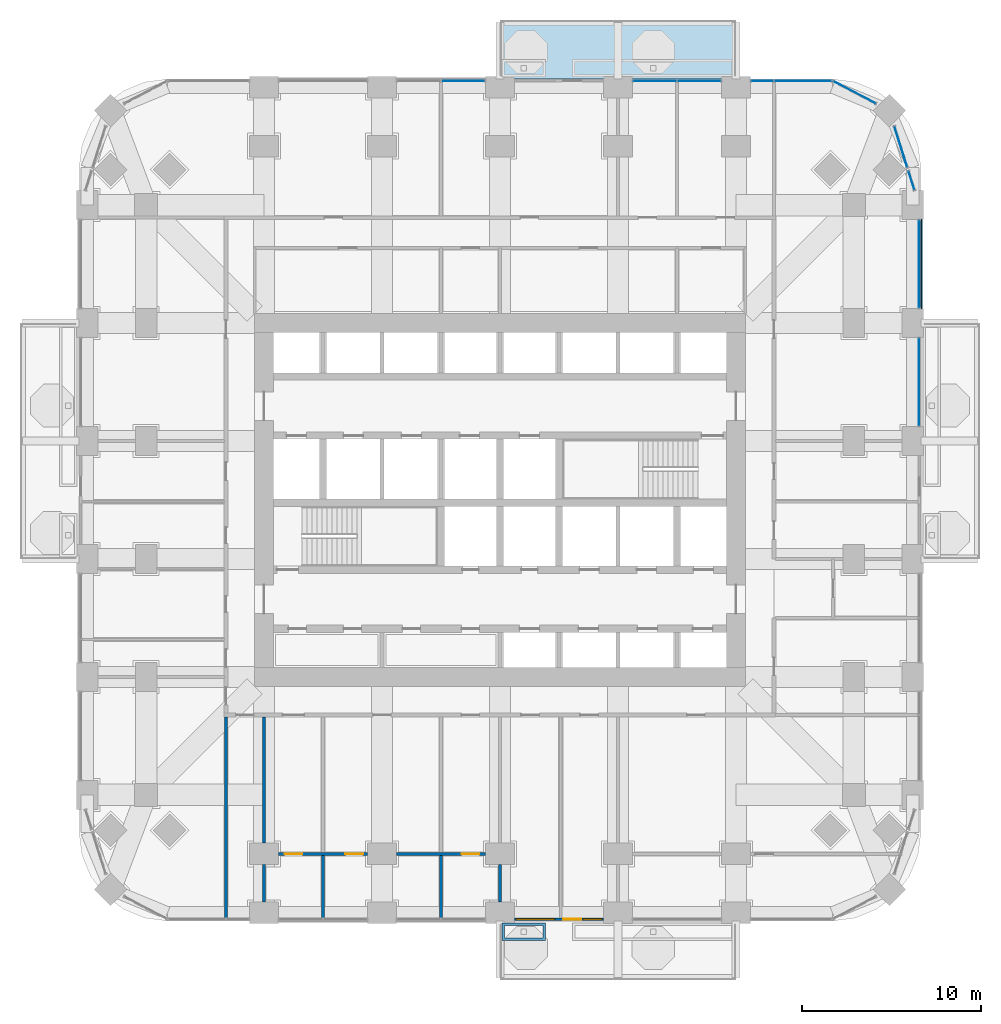
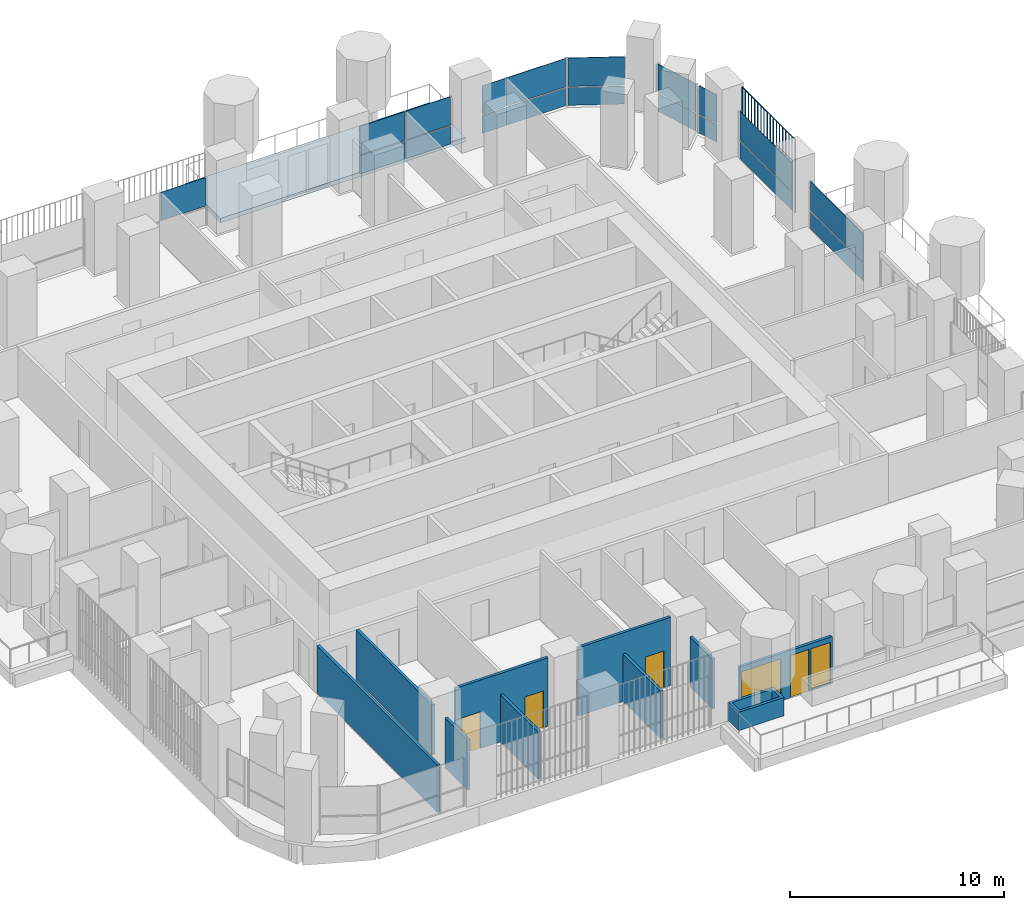
# One storey, part 13 of 22: 20 plates, 10 walls, 4 doors, 2 windows, 1 slab, 6 openings, 8 elements without a shape of their own.
"""IFC4 building model written with IfcOpenShell, lengths in metres."""

from ifc_helpers import new_model, si_unit, direction, frame, frame_2d, origin, origin_2d, place, context, subcontext, project, spatial, polyline, rectangle, outline, extrude, material, layer, layer_set, type_object, element, fill, aggregate, save


model = new_model("IFC4")

# Units and contexts
model_context = context("Model", 3, precision=1e-05, world=origin(), true_north=direction((0.0, 1.0)))
body_context = subcontext(model_context, "Body", "Model", "MODEL_VIEW")
ifc_project = project(units=[si_unit("LENGTHUNIT", "METRE"), si_unit("AREAUNIT", "SQUARE_METRE"), si_unit("VOLUMEUNIT", "CUBIC_METRE"), si_unit("PLANEANGLEUNIT", "RADIAN"), si_unit("MASSUNIT", "GRAM", prefix="KILO")], contexts=[model_context])

# Site, building, storey
site_placement = place(None, origin())
site = spatial("IfcSite", under=ifc_project, at=site_placement, CompositionType="ELEMENT")
building_placement = place(site_placement, origin())
building = spatial("IfcBuilding", under=site, at=building_placement, Name="Cobogo Forest Laboratory Tower", CompositionType="ELEMENT")
storey_placement = place(building_placement, frame((0.0, 0.0, 94.800048828125)))
storey = spatial("IfcBuildingStorey", under=building, at=storey_placement, Name="L21", CompositionType="ELEMENT", Elevation=94.800048828125)

# Slab
ifc_material_1 = material(Name="Concrete HA-40 (C40/50)", Category="concrete")
ifc_layer_1 = layer(ifc_material_1, 0.25)
ifc_layer_set_1 = layer_set([ifc_layer_1], Name="Balcony slab 250")
slab_type = type_object("IfcSlabType", Name="Balcony slab 250", PredefinedType="FLOOR", material=ifc_layer_set_1)
slab_placement = place(storey_placement, frame((0.0, 0.0, -0.25)))
element("IfcSlab", 1, at=slab_placement, inside=storey, type_object=slab_type, Name="Balcony BAL-N1 L21", PredefinedType="FLOOR", context=body_context, shape_type="SweptSolid", body=[
    extrude(outline(polyline([(26.39990234375, 46.64990234375), (39.60009765625, 46.64990234375), (39.60009765625, 49.949951171875), (26.39990234375, 49.949951171875), (26.39990234375, 46.64990234375)])), origin(), (0.0, 0.0, 1.0), 0.25),
])

# Curtain wall, plates
ifc_material_2 = material(Name="Aluminium curtain wall", Category="aluminium")
curtain_wall_type = type_object("IfcCurtainWallType", Name="CW-1 unitised curtain wall, clear glazing, laboratory floors zones A and B", PredefinedType="USERDEFINED", material=ifc_material_2)
curtain_wall_1_placement = place(storey_placement, origin())
curtain_wall_1 = element("IfcCurtainWall", 2, at=curtain_wall_1_placement, inside=storey, type_object=curtain_wall_type, Name="Curtain wall 13 L21", ObjectType="UNITISED CURTAIN WALL", PredefinedType="USERDEFINED")
ifc_material_3 = material(Name="Clear insulated glass", Category="glass")
ifc_layer_2 = layer(ifc_material_3, 0.028076171875)
ifc_layer_set_2 = layer_set([ifc_layer_2], Name="GP-1 clear insulated glass unit 28")
plate_type_1 = type_object("IfcPlateType", Name="GP-1 clear insulated glass unit 28", PredefinedType="CURTAIN_PANEL", material=ifc_layer_set_2)
plate_1_placement = place(storey_placement, frame((49.85009765625, 29.699951171875, 0.0), z_axis=(0.0, 0.0, 1.0), x_axis=(0.0, 1.0, 0.0)))
plate_1 = element("IfcPlate", 3, at=plate_1_placement, type_object=plate_type_1, Name="CW-1 panel 1.1", PredefinedType="CURTAIN_PANEL", context=body_context, shape_type="SweptSolid", body=[
    extrude(rectangle(XDim=4.8798828125, YDim=0.028076171875, at=origin_2d()), origin(), (0.0, 0.0, 1.0), 1.02001953125),
])
plate_2_placement = place(storey_placement, frame((49.85009765625, 29.699951171875, 1.079833984375), z_axis=(0.0, 0.0, 1.0), x_axis=(0.0, 1.0, 0.0)))
plate_2 = element("IfcPlate", 4, at=plate_2_placement, type_object=plate_type_1, Name="CW-1 panel 1.2", PredefinedType="CURTAIN_PANEL", context=body_context, shape_type="SweptSolid", body=[
    extrude(rectangle(XDim=4.8798828125, YDim=0.028076171875, at=origin_2d()), origin(), (0.0, 0.0, 1.0), 1.6201171875),
])
aggregate(curtain_wall_1, [plate_1, plate_2])

curtain_wall_2_placement = place(storey_placement, origin())
curtain_wall_2 = element("IfcCurtainWall", 5, at=curtain_wall_2_placement, inside=storey, type_object=curtain_wall_type, Name="Curtain wall 14 L21", ObjectType="UNITISED CURTAIN WALL", PredefinedType="USERDEFINED")
plate_3_placement = place(storey_placement, frame((49.85009765625, 36.300048828125, 0.0), z_axis=(0.0, 0.0, 1.0), x_axis=(0.0, 1.0, 0.0)))
plate_3 = element("IfcPlate", 6, at=plate_3_placement, type_object=plate_type_1, Name="CW-1 panel 1.1", PredefinedType="CURTAIN_PANEL", context=body_context, shape_type="SweptSolid", body=[
    extrude(rectangle(XDim=4.8798828125, YDim=0.028076171875, at=origin_2d()), origin(), (0.0, 0.0, 1.0), 1.02001953125),
])
plate_4_placement = place(storey_placement, frame((49.85009765625, 36.300048828125, 1.079833984375), z_axis=(0.0, 0.0, 1.0), x_axis=(0.0, 1.0, 0.0)))
plate_4 = element("IfcPlate", 7, at=plate_4_placement, type_object=plate_type_1, Name="CW-1 panel 1.2", PredefinedType="CURTAIN_PANEL", context=body_context, shape_type="SweptSolid", body=[
    extrude(rectangle(XDim=4.8798828125, YDim=0.028076171875, at=origin_2d()), origin(), (0.0, 0.0, 1.0), 1.6201171875),
])
aggregate(curtain_wall_2, [plate_3, plate_4])

curtain_wall_3_placement = place(storey_placement, origin())
curtain_wall_3 = element("IfcCurtainWall", 8, at=curtain_wall_3_placement, inside=storey, type_object=curtain_wall_type, Name="Curtain wall 15 L21", ObjectType="UNITISED CURTAIN WALL", PredefinedType="USERDEFINED")
plate_5_placement = place(storey_placement, frame((49.41796875, 40.9677734375, 0.0), z_axis=(0.0, 0.0, 1.0), x_axis=(-0.301135667865, 0.953581307252, 0.0)))
plate_5 = element("IfcPlate", 9, at=plate_5_placement, type_object=plate_type_1, Name="CW-1 panel 1.1", PredefinedType="CURTAIN_PANEL", context=body_context, shape_type="SweptSolid", body=[
    extrude(rectangle(XDim=1.071044921875, YDim=0.028076171875, at=origin_2d()), origin(), (0.0, 0.0, 1.0), 1.02001953125),
])
plate_6_placement = place(storey_placement, frame((49.41796875, 40.9677734375, 1.079833984375), z_axis=(0.0, 0.0, 1.0), x_axis=(-0.301135667865, 0.953581307252, 0.0)))
plate_6 = element("IfcPlate", 10, at=plate_6_placement, type_object=plate_type_1, Name="CW-1 panel 1.2", PredefinedType="CURTAIN_PANEL", context=body_context, shape_type="SweptSolid", body=[
    extrude(rectangle(XDim=1.071044921875, YDim=0.028076171875, at=origin_2d()), origin(), (0.0, 0.0, 1.0), 1.6201171875),
])
aggregate(curtain_wall_3, [plate_5, plate_6])

curtain_wall_4_placement = place(storey_placement, origin())
curtain_wall_4 = element("IfcCurtainWall", 11, at=curtain_wall_4_placement, inside=storey, type_object=curtain_wall_type, Name="Curtain wall 16 L21", ObjectType="UNITISED CURTAIN WALL", PredefinedType="USERDEFINED")
plate_7_placement = place(storey_placement, frame((48.8212890625, 42.857421875, 0.0), z_axis=(0.0, 0.0, 1.0), x_axis=(-0.301135291996, 0.953581425949, 0.0)))
plate_7 = element("IfcPlate", 12, at=plate_7_placement, type_object=plate_type_1, Name="CW-1 panel 1.1", PredefinedType="CURTAIN_PANEL", context=body_context, shape_type="SweptSolid", body=[
    extrude(rectangle(XDim=2.3681640625, YDim=0.028076171875, at=origin_2d()), origin(), (0.0, 0.0, 1.0), 1.02001953125),
])
plate_8_placement = place(storey_placement, frame((48.8212890625, 42.857421875, 1.079833984375), z_axis=(0.0, 0.0, 1.0), x_axis=(-0.301135291996, 0.953581425949, 0.0)))
plate_8 = element("IfcPlate", 13, at=plate_8_placement, type_object=plate_type_1, Name="CW-1 panel 1.2", PredefinedType="CURTAIN_PANEL", context=body_context, shape_type="SweptSolid", body=[
    extrude(rectangle(XDim=2.3681640625, YDim=0.028076171875, at=origin_2d()), origin(), (0.0, 0.0, 1.0), 1.6201171875),
])
aggregate(curtain_wall_4, [plate_7, plate_8])

curtain_wall_5_placement = place(storey_placement, origin())
curtain_wall_5 = element("IfcCurtainWall", 14, at=curtain_wall_5_placement, inside=storey, type_object=curtain_wall_type, Name="Curtain wall 17 L21", ObjectType="UNITISED CURTAIN WALL", PredefinedType="USERDEFINED")
plate_9_placement = place(storey_placement, frame((46.229248046875, 45.90576171875, 0.0), z_axis=(0.0, 0.0, 1.0), x_axis=(-0.885686547075, 0.464283685186, 0.0)))
plate_9 = element("IfcPlate", 15, at=plate_9_placement, type_object=plate_type_1, Name="CW-1 panel 1.1", PredefinedType="CURTAIN_PANEL", context=body_context, shape_type="SweptSolid", body=[
    extrude(rectangle(XDim=2.655517578125, YDim=0.028076171875, at=origin_2d()), origin(), (0.0, 0.0, 1.0), 1.02001953125),
])
plate_10_placement = place(storey_placement, frame((46.229248046875, 45.90576171875, 1.079833984375), z_axis=(0.0, 0.0, 1.0), x_axis=(-0.885686547075, 0.464283685186, 0.0)))
plate_10 = element("IfcPlate", 16, at=plate_10_placement, type_object=plate_type_1, Name="CW-1 panel 1.2", PredefinedType="CURTAIN_PANEL", context=body_context, shape_type="SweptSolid", body=[
    extrude(rectangle(XDim=2.655517578125, YDim=0.028076171875, at=origin_2d()), origin(), (0.0, 0.0, 1.0), 1.6201171875),
])
aggregate(curtain_wall_5, [plate_9, plate_10])

curtain_wall_6_placement = place(storey_placement, origin())
curtain_wall_6 = element("IfcCurtainWall", 17, at=curtain_wall_6_placement, inside=storey, type_object=curtain_wall_type, Name="Curtain wall 18 L21", ObjectType="UNITISED CURTAIN WALL", PredefinedType="USERDEFINED")
plate_11_placement = place(storey_placement, frame((43.347412109375, 46.550048828125, 0.0), z_axis=(0.0, 0.0, 1.0), x_axis=(-1.0, 0.0, 0.0)))
plate_11 = element("IfcPlate", 18, at=plate_11_placement, type_object=plate_type_1, Name="CW-1 panel 1.1", PredefinedType="CURTAIN_PANEL", context=body_context, shape_type="SweptSolid", body=[
    extrude(rectangle(XDim=3.18505859375, YDim=0.028076171875, at=origin_2d()), origin(), (0.0, 0.0, 1.0), 1.02001953125),
])
plate_12_placement = place(storey_placement, frame((43.347412109375, 46.550048828125, 1.079833984375), z_axis=(0.0, 0.0, 1.0), x_axis=(-1.0, 0.0, 0.0)))
plate_12 = element("IfcPlate", 19, at=plate_12_placement, type_object=plate_type_1, Name="CW-1 panel 1.2", PredefinedType="CURTAIN_PANEL", context=body_context, shape_type="SweptSolid", body=[
    extrude(rectangle(XDim=3.18505859375, YDim=0.028076171875, at=origin_2d()), origin(), (0.0, 0.0, 1.0), 1.6201171875),
])
plate_13_placement = place(storey_placement, frame((41.077392578125, 46.550048828125, 0.0), z_axis=(0.0, 0.0, 1.0), x_axis=(-1.0, 0.0, 0.0)))
plate_13 = element("IfcPlate", 20, at=plate_13_placement, type_object=plate_type_1, Name="CW-1 panel 2.1", PredefinedType="CURTAIN_PANEL", context=body_context, shape_type="SweptSolid", body=[
    extrude(rectangle(XDim=1.235107421875, YDim=0.028076171875, at=origin_2d()), origin(), (0.0, 0.0, 1.0), 1.02001953125),
])
plate_14_placement = place(storey_placement, frame((41.077392578125, 46.550048828125, 1.079833984375), z_axis=(0.0, 0.0, 1.0), x_axis=(-1.0, 0.0, 0.0)))
plate_14 = element("IfcPlate", 21, at=plate_14_placement, type_object=plate_type_1, Name="CW-1 panel 2.2", PredefinedType="CURTAIN_PANEL", context=body_context, shape_type="SweptSolid", body=[
    extrude(rectangle(XDim=1.235107421875, YDim=0.028076171875, at=origin_2d()), origin(), (0.0, 0.0, 1.0), 1.6201171875),
])
aggregate(curtain_wall_6, [plate_11, plate_12, plate_13, plate_14])

curtain_wall_7_placement = place(storey_placement, origin())
curtain_wall_7 = element("IfcCurtainWall", 22, at=curtain_wall_7_placement, inside=storey, type_object=curtain_wall_type, Name="Curtain wall 19 L21", ObjectType="UNITISED CURTAIN WALL", PredefinedType="USERDEFINED")
plate_15_placement = place(storey_placement, frame((37.534912109375, 46.550048828125, 0.0), z_axis=(0.0, 0.0, 1.0), x_axis=(-1.0, 0.0, 0.0)))
plate_15 = element("IfcPlate", 23, at=plate_15_placement, type_object=plate_type_1, Name="CW-1 panel 1.1", PredefinedType="CURTAIN_PANEL", context=body_context, shape_type="SweptSolid", body=[
    extrude(rectangle(XDim=2.409912109375, YDim=0.028076171875, at=origin_2d()), origin(), (0.0, 0.0, 1.0), 1.02001953125),
])
plate_16_placement = place(storey_placement, frame((37.534912109375, 46.550048828125, 1.079833984375), z_axis=(0.0, 0.0, 1.0), x_axis=(-1.0, 0.0, 0.0)))
plate_16 = element("IfcPlate", 24, at=plate_16_placement, type_object=plate_type_1, Name="CW-1 panel 1.2", PredefinedType="CURTAIN_PANEL", context=body_context, shape_type="SweptSolid", body=[
    extrude(rectangle(XDim=2.409912109375, YDim=0.028076171875, at=origin_2d()), origin(), (0.0, 0.0, 1.0), 1.6201171875),
])
plate_17_placement = place(storey_placement, frame((35.06494140625, 46.550048828125, 0.0), z_axis=(0.0, 0.0, 1.0), x_axis=(-1.0, 0.0, 0.0)))
plate_17 = element("IfcPlate", 25, at=plate_17_placement, type_object=plate_type_1, Name="CW-1 panel 2.1", PredefinedType="CURTAIN_PANEL", context=body_context, shape_type="SweptSolid", body=[
    extrude(rectangle(XDim=2.409912109375, YDim=0.028076171875, at=origin_2d()), origin(), (0.0, 0.0, 1.0), 1.02001953125),
])
plate_18_placement = place(storey_placement, frame((35.06494140625, 46.550048828125, 1.079833984375), z_axis=(0.0, 0.0, 1.0), x_axis=(-1.0, 0.0, 0.0)))
plate_18 = element("IfcPlate", 26, at=plate_18_placement, type_object=plate_type_1, Name="CW-1 panel 2.2", PredefinedType="CURTAIN_PANEL", context=body_context, shape_type="SweptSolid", body=[
    extrude(rectangle(XDim=2.409912109375, YDim=0.028076171875, at=origin_2d()), origin(), (0.0, 0.0, 1.0), 1.6201171875),
])
aggregate(curtain_wall_7, [plate_15, plate_16, plate_17, plate_18])

# Curtain wall, plate
curtain_wall_8_placement = place(storey_placement, origin())
curtain_wall_8 = element("IfcCurtainWall", 27, at=curtain_wall_8_placement, inside=storey, type_object=curtain_wall_type, Name="Curtain wall 21 L21", ObjectType="UNITISED CURTAIN WALL", PredefinedType="USERDEFINED")
plate_19_placement = place(storey_placement, frame((24.3349609375, 46.550048828125, 1.079833984375), z_axis=(0.0, 0.0, 1.0), x_axis=(-1.0, 0.0, 0.0)))
plate_19 = element("IfcPlate", 28, at=plate_19_placement, type_object=plate_type_1, Name="CW-1 panel 1.2", PredefinedType="CURTAIN_PANEL", context=body_context, shape_type="SweptSolid", body=[
    extrude(rectangle(XDim=2.409912109375, YDim=0.028076171875, at=origin_2d()), origin(), (0.0, 0.0, 1.0), 1.6201171875),
])
aggregate(curtain_wall_8, [plate_19])

# Plate
ifc_material_4 = material(Name="Terracotta", Category="masonry")
plate_type_2 = type_object("IfcPlateType", Name="TB1 terracotta baguette screen", PredefinedType="USERDEFINED", material=ifc_material_4)
plate_20_placement = place(storey_placement, frame((49.977783203125, 33.831298828125, -0.150146484375)))
element("IfcPlate", 29, at=plate_20_placement, inside=storey, type_object=plate_type_2, Name="Baguette screen E5 L21", ObjectType="BAGUETTE SCREEN", PredefinedType="USERDEFINED", context=body_context, shape_type="SweptSolid", body=[
    extrude(outline(polyline([(0.02880859375, 0.011962890625), (0.011962890625, 0.02880859375), (-0.011962890625, 0.02880859375), (-0.02880859375, 0.011962890625), (-0.02880859375, -0.011962890625), (-0.011962890625, -0.02880859375), (0.011962890625, -0.02880859375), (0.02880859375, -0.011962890625), (0.02880859375, 0.011962890625)])), frame((0.0, 0.0, 4.168701171875), z_axis=(0.0, 1.0, 0.0), x_axis=(-1.0, 0.0, 0.0)), (0.0, 0.0, 1.0), 4.9375),
    extrude(outline(polyline([(0.02880859375, 0.011962890625), (0.011962890625, 0.02880859375), (-0.011962890625, 0.02880859375), (-0.02880859375, 0.011962890625), (-0.02880859375, -0.011962890625), (-0.011962890625, -0.02880859375), (0.011962890625, -0.02880859375), (0.02880859375, -0.011962890625), (0.02880859375, 0.011962890625)])), origin(), (0.0, 0.0, 1.0), 4.137451171875),
    extrude(outline(polyline([(0.02880859375, 0.011962890625), (0.011962890625, 0.02880859375), (-0.011962890625, 0.02880859375), (-0.02880859375, 0.011962890625), (-0.02880859375, -0.011962890625), (-0.011962890625, -0.02880859375), (0.011962890625, -0.02880859375), (0.02880859375, -0.011962890625), (0.02880859375, 0.011962890625)])), frame((0.0, 0.29052734375, 0.0)), (0.0, 0.0, 1.0), 4.137451171875),
    extrude(outline(polyline([(0.02880859375, 0.011962890625), (0.011962890625, 0.02880859375), (-0.011962890625, 0.02880859375), (-0.02880859375, 0.011962890625), (-0.02880859375, -0.011962890625), (-0.011962890625, -0.02880859375), (0.011962890625, -0.02880859375), (0.02880859375, -0.011962890625), (0.02880859375, 0.011962890625)])), frame((0.0, 0.580810546875, 0.0)), (0.0, 0.0, 1.0), 4.137451171875),
    extrude(outline(polyline([(0.02880859375, 0.011962890625), (0.011962890625, 0.02880859375), (-0.011962890625, 0.02880859375), (-0.02880859375, 0.011962890625), (-0.02880859375, -0.011962890625), (-0.011962890625, -0.02880859375), (0.011962890625, -0.02880859375), (0.02880859375, -0.011962890625), (0.02880859375, 0.011962890625)])), frame((0.0, 0.871337890625, 0.0)), (0.0, 0.0, 1.0), 4.137451171875),
    extrude(outline(polyline([(0.02880859375, 0.011962890625), (0.011962890625, 0.02880859375), (-0.011962890625, 0.02880859375), (-0.02880859375, 0.011962890625), (-0.02880859375, -0.011962890625), (-0.011962890625, -0.02880859375), (0.011962890625, -0.02880859375), (0.02880859375, -0.011962890625), (0.02880859375, 0.011962890625)])), frame((0.0, 1.161865234375, 0.0)), (0.0, 0.0, 1.0), 4.137451171875),
    extrude(outline(polyline([(0.02880859375, 0.011962890625), (0.011962890625, 0.02880859375), (-0.011962890625, 0.02880859375), (-0.02880859375, 0.011962890625), (-0.02880859375, -0.011962890625), (-0.011962890625, -0.02880859375), (0.011962890625, -0.02880859375), (0.02880859375, -0.011962890625), (0.02880859375, 0.011962890625)])), frame((0.0, 1.4521484375, 0.0)), (0.0, 0.0, 1.0), 4.137451171875),
    extrude(outline(polyline([(0.02880859375, 0.011962890625), (0.011962890625, 0.02880859375), (-0.011962890625, 0.02880859375), (-0.02880859375, 0.011962890625), (-0.02880859375, -0.011962890625), (-0.011962890625, -0.02880859375), (0.011962890625, -0.02880859375), (0.02880859375, -0.011962890625), (0.02880859375, 0.011962890625)])), frame((0.0, 1.74267578125, 0.0)), (0.0, 0.0, 1.0), 4.137451171875),
    extrude(outline(polyline([(0.02880859375, 0.011962890625), (0.011962890625, 0.02880859375), (-0.011962890625, 0.02880859375), (-0.02880859375, 0.011962890625), (-0.02880859375, -0.011962890625), (-0.011962890625, -0.02880859375), (0.011962890625, -0.02880859375), (0.02880859375, -0.011962890625), (0.02880859375, 0.011962890625)])), frame((0.0, 2.033203125, 0.0)), (0.0, 0.0, 1.0), 4.137451171875),
    extrude(outline(polyline([(0.02880859375, 0.011962890625), (0.011962890625, 0.02880859375), (-0.011962890625, 0.02880859375), (-0.02880859375, 0.011962890625), (-0.02880859375, -0.011962890625), (-0.011962890625, -0.02880859375), (0.011962890625, -0.02880859375), (0.02880859375, -0.011962890625), (0.02880859375, 0.011962890625)])), frame((0.0, 2.323486328125, 0.0)), (0.0, 0.0, 1.0), 4.137451171875),
    extrude(outline(polyline([(0.02880859375, 0.011962890625), (0.011962890625, 0.02880859375), (-0.011962890625, 0.02880859375), (-0.02880859375, 0.011962890625), (-0.02880859375, -0.011962890625), (-0.011962890625, -0.02880859375), (0.011962890625, -0.02880859375), (0.02880859375, -0.011962890625), (0.02880859375, 0.011962890625)])), frame((0.0, 2.614013671875, 0.0)), (0.0, 0.0, 1.0), 4.137451171875),
    extrude(outline(polyline([(0.02880859375, 0.011962890625), (0.011962890625, 0.02880859375), (-0.011962890625, 0.02880859375), (-0.02880859375, 0.011962890625), (-0.02880859375, -0.011962890625), (-0.011962890625, -0.02880859375), (0.011962890625, -0.02880859375), (0.02880859375, -0.011962890625), (0.02880859375, 0.011962890625)])), frame((0.0, 2.904296875, 0.0)), (0.0, 0.0, 1.0), 4.137451171875),
    extrude(outline(polyline([(0.02880859375, 0.011962890625), (0.011962890625, 0.02880859375), (-0.011962890625, 0.02880859375), (-0.02880859375, 0.011962890625), (-0.02880859375, -0.011962890625), (-0.011962890625, -0.02880859375), (0.011962890625, -0.02880859375), (0.02880859375, -0.011962890625), (0.02880859375, 0.011962890625)])), frame((0.0, 3.19482421875, 0.0)), (0.0, 0.0, 1.0), 4.137451171875),
    extrude(outline(polyline([(0.02880859375, 0.011962890625), (0.011962890625, 0.02880859375), (-0.011962890625, 0.02880859375), (-0.02880859375, 0.011962890625), (-0.02880859375, -0.011962890625), (-0.011962890625, -0.02880859375), (0.011962890625, -0.02880859375), (0.02880859375, -0.011962890625), (0.02880859375, 0.011962890625)])), frame((0.0, 3.4853515625, 0.0)), (0.0, 0.0, 1.0), 4.137451171875),
    extrude(outline(polyline([(0.02880859375, 0.011962890625), (0.011962890625, 0.02880859375), (-0.011962890625, 0.02880859375), (-0.02880859375, 0.011962890625), (-0.02880859375, -0.011962890625), (-0.011962890625, -0.02880859375), (0.011962890625, -0.02880859375), (0.02880859375, -0.011962890625), (0.02880859375, 0.011962890625)])), frame((0.0, 3.775634765625, 0.0)), (0.0, 0.0, 1.0), 4.137451171875),
    extrude(outline(polyline([(0.02880859375, 0.011962890625), (0.011962890625, 0.02880859375), (-0.011962890625, 0.02880859375), (-0.02880859375, 0.011962890625), (-0.02880859375, -0.011962890625), (-0.011962890625, -0.02880859375), (0.011962890625, -0.02880859375), (0.02880859375, -0.011962890625), (0.02880859375, 0.011962890625)])), frame((0.0, 4.066162109375, 0.0)), (0.0, 0.0, 1.0), 4.137451171875),
    extrude(outline(polyline([(0.02880859375, 0.011962890625), (0.011962890625, 0.02880859375), (-0.011962890625, 0.02880859375), (-0.02880859375, 0.011962890625), (-0.02880859375, -0.011962890625), (-0.011962890625, -0.02880859375), (0.011962890625, -0.02880859375), (0.02880859375, -0.011962890625), (0.02880859375, 0.011962890625)])), frame((0.0, 4.356689453125, 0.0)), (0.0, 0.0, 1.0), 4.137451171875),
    extrude(outline(polyline([(0.02880859375, 0.011962890625), (0.011962890625, 0.02880859375), (-0.011962890625, 0.02880859375), (-0.02880859375, 0.011962890625), (-0.02880859375, -0.011962890625), (-0.011962890625, -0.02880859375), (0.011962890625, -0.02880859375), (0.02880859375, -0.011962890625), (0.02880859375, 0.011962890625)])), frame((0.0, 4.64697265625, 0.0)), (0.0, 0.0, 1.0), 4.137451171875),
    extrude(outline(polyline([(0.02880859375, 0.011962890625), (0.011962890625, 0.02880859375), (-0.011962890625, 0.02880859375), (-0.02880859375, 0.011962890625), (-0.02880859375, -0.011962890625), (-0.011962890625, -0.02880859375), (0.011962890625, -0.02880859375), (0.02880859375, -0.011962890625), (0.02880859375, 0.011962890625)])), frame((0.0, 4.9375, 0.0)), (0.0, 0.0, 1.0), 4.137451171875),
])

# Wall, openings, door, windows
ifc_material_5 = material(Name="Aluminium framed glazed screen", Category="aluminium")
ifc_layer_3 = layer(ifc_material_5, 0.14990234375)
ifc_layer_set_3 = layer_set([ifc_layer_3], Name="GS1 glazed door screen 150")
wall_type_1 = type_object("IfcWallType", Name="GS1 glazed door screen 150", PredefinedType="SOLIDWALL", material=ifc_layer_set_3)
wall_1_placement = place(storey_placement, frame((27.199951171875, -0.35009765625, 0.0), z_axis=(0.0, 0.0, 1.0), x_axis=(1.0, 0.0, 0.0)))
wall_1 = element("IfcWall", 30, at=wall_1_placement, inside=storey, type_object=wall_type_1, Name="Door screen BAL-S1 L21", PredefinedType="SOLIDWALL", context=body_context, shape_type="SweptSolid", body=[
    extrude(rectangle(XDim=5.0, YDim=0.14990234375, at=frame_2d((2.5, 0.0))), origin(), (0.0, 0.0, 1.0), 2.699951171875),
])
opening_1_placement = place(wall_1_placement, frame((2.75, 0.0, 0.0)))
opening_1 = element("IfcOpeningElement", 31, at=opening_1_placement, cuts=wall_1, Name="Opening L21-D01", PredefinedType="OPENING", context=body_context, shape_type="SweptSolid", body=[
    extrude(rectangle(XDim=1.0, YDim=2.39990234375, at=frame_2d((0.5, 1.199951171875))), frame((0.0, 0.0849609375, 0.0), z_axis=(0.0, -1.0, 0.0), x_axis=(1.0, 0.0, 0.0)), (0.0, 0.0, 1.0), 0.169921875),
])
opening_2_placement = place(wall_1_placement, frame((0.10009765625, 0.0, 0.10009765625)))
opening_2 = element("IfcOpeningElement", 32, at=opening_2_placement, cuts=wall_1, Name="Opening L21-W01", PredefinedType="OPENING", context=body_context, shape_type="SweptSolid", body=[
    extrude(rectangle(XDim=2.14990234375, YDim=2.300048828125, at=frame_2d((1.074951171875, 1.14990234375))), frame((0.0, 0.0849609375, 0.0), z_axis=(0.0, -1.0, 0.0), x_axis=(1.0, 0.0, 0.0)), (0.0, 0.0, 1.0), 0.169921875),
])
opening_3_placement = place(wall_1_placement, frame((3.85009765625, 0.0, 0.10009765625)))
opening_3 = element("IfcOpeningElement", 33, at=opening_3_placement, cuts=wall_1, Name="Opening L21-W02", PredefinedType="OPENING", context=body_context, shape_type="SweptSolid", body=[
    extrude(rectangle(XDim=1.050048828125, YDim=2.300048828125, at=frame_2d((0.52490234375, 1.14990234375))), frame((0.0, 0.0849609375, 0.0), z_axis=(0.0, -1.0, 0.0), x_axis=(1.0, 0.0, 0.0)), (0.0, 0.0, 1.0), 0.169921875),
])
ifc_material_6 = material(Name="Aluminium glazed door", Category="aluminium")
door_type_1 = type_object("IfcDoorType", Name="DB1 balcony door 1000 glazed", OperationType="SINGLE_SWING_LEFT", PredefinedType="DOOR", material=ifc_material_6)
door_1_placement = place(opening_1_placement, origin())
door_1 = element("IfcDoor", 34, at=door_1_placement, inside=storey, type_object=door_type_1, Name="Door L21-BAL-S1", OperationType="SINGLE_SWING_RIGHT", OverallHeight=2.39990234375, OverallWidth=1.0, PredefinedType="DOOR", context=body_context, shape_type="SweptSolid", body=[
    extrude(rectangle(XDim=1.0, YDim=2.39990234375, at=frame_2d((0.5, 1.199951171875))), frame((0.0, 0.02490234375, 0.0), z_axis=(0.0, -1.0, 0.0), x_axis=(1.0, 0.0, 0.0)), (0.0, 0.0, 1.0), 0.050048828125),
])
fill(opening_1, door_1)
ifc_material_7 = material(Name="Aluminium framed glazing", Category="aluminium")
window_type_1 = type_object("IfcWindowType", Name="WG13 fixed glazed light 2150x2300", PartitioningType="SINGLE_PANEL", PredefinedType="WINDOW", material=ifc_material_7)
window_1_placement = place(opening_2_placement, origin())
window_1 = element("IfcWindow", 35, at=window_1_placement, inside=storey, type_object=window_type_1, Name="Window L21-BAL-S1-1", OverallHeight=2.300048828125, OverallWidth=2.14990234375, PartitioningType="SINGLE_PANEL", PredefinedType="WINDOW", context=body_context, shape_type="SweptSolid", body=[
    extrude(rectangle(XDim=2.14990234375, YDim=2.300048828125, at=frame_2d((1.074951171875, 1.14990234375))), frame((0.0, 0.030029296875, 0.0), z_axis=(0.0, -1.0, 0.0), x_axis=(1.0, 0.0, 0.0)), (0.0, 0.0, 1.0), 0.06005859375),
])
fill(opening_2, window_1)
window_type_2 = type_object("IfcWindowType", Name="WG14 fixed glazed light 1050x2300", PartitioningType="SINGLE_PANEL", PredefinedType="WINDOW", material=ifc_material_7)
window_2_placement = place(opening_3_placement, origin())
window_2 = element("IfcWindow", 36, at=window_2_placement, inside=storey, type_object=window_type_2, Name="Window L21-BAL-S1-2", OverallHeight=2.300048828125, OverallWidth=1.050048828125, PartitioningType="SINGLE_PANEL", PredefinedType="WINDOW", context=body_context, shape_type="SweptSolid", body=[
    extrude(rectangle(XDim=1.050048828125, YDim=2.300048828125, at=frame_2d((0.52490234375, 1.14990234375))), frame((0.0, 0.030029296875, 0.0), z_axis=(0.0, -1.0, 0.0), x_axis=(1.0, 0.0, 0.0)), (0.0, 0.0, 1.0), 0.06005859375),
])
fill(opening_3, window_2)

# Wall
ifc_material_8 = material(Name="Gypsum board on steel studs", Category="steel")
ifc_layer_4 = layer(ifc_material_8, 0.14990234375)
ifc_layer_set_4 = layer_set([ifc_layer_4], Name="PT1 laboratory partition 150")
wall_type_2 = type_object("IfcWallType", Name="PT1 laboratory partition 150", PredefinedType="PARTITIONING", material=ifc_layer_set_4)
wall_2_placement = place(storey_placement, frame((11.074951171875, -0.27001953125, 0.0), z_axis=(0.0, 0.0, 1.0), x_axis=(0.0, 1.0, 0.0)))
element("IfcWall", 37, at=wall_2_placement, inside=storey, type_object=wall_type_2, Name="Partition PW-SW L21", PredefinedType="PARTITIONING", context=body_context, shape_type="SweptSolid", body=[
    extrude(rectangle(XDim=11.2451171875, YDim=0.14990234375, at=frame_2d((5.62255859375, 0.0))), origin(), (0.0, 0.0, 1.0), 2.699951171875),
])

# Wall, openings, doors
wall_3_placement = place(storey_placement, frame((14.0, 3.300048828125, 0.0), z_axis=(0.0, 0.0, 1.0), x_axis=(1.0, 0.0, 0.0)))
wall_3 = element("IfcWall", 38, at=wall_3_placement, inside=storey, type_object=wall_type_2, Name="Partition STRIP-S-1 L21", PredefinedType="PARTITIONING", context=body_context, shape_type="SweptSolid", body=[
    extrude(rectangle(XDim=5.0, YDim=0.14990234375, at=frame_2d((2.5, 0.0))), origin(), (0.0, 0.0, 1.0), 3.89990234375),
])
opening_4_placement = place(wall_3_placement, frame((0.35009765625, 0.0, 0.0)))
opening_4 = element("IfcOpeningElement", 39, at=opening_4_placement, cuts=wall_3, Name="Opening L21-D02", PredefinedType="OPENING", context=body_context, shape_type="SweptSolid", body=[
    extrude(rectangle(XDim=1.0, YDim=2.10009765625, at=frame_2d((0.5, 1.050048828125))), frame((0.0, 0.0849609375, 0.0), z_axis=(0.0, -1.0, 0.0), x_axis=(1.0, 0.0, 0.0)), (0.0, 0.0, 1.0), 0.169921875),
])
opening_5_placement = place(wall_3_placement, frame((3.75, 0.0, 0.0)))
opening_5 = element("IfcOpeningElement", 40, at=opening_5_placement, cuts=wall_3, Name="Opening L21-D03", PredefinedType="OPENING", context=body_context, shape_type="SweptSolid", body=[
    extrude(rectangle(XDim=1.0, YDim=2.10009765625, at=frame_2d((0.5, 1.050048828125))), frame((0.0, 0.0849609375, 0.0), z_axis=(0.0, -1.0, 0.0), x_axis=(1.0, 0.0, 0.0)), (0.0, 0.0, 1.0), 0.169921875),
])
ifc_material_9 = material(Name="Timber fire door", Category="wood")
door_type_2 = type_object("IfcDoorType", Name="FD2 fire door 1000 EI2 30", OperationType="SINGLE_SWING_LEFT", PredefinedType="DOOR", material=ifc_material_9)
door_2_placement = place(opening_4_placement, origin())
door_2 = element("IfcDoor", 41, at=door_2_placement, inside=storey, type_object=door_type_2, Name="Door L21-S2W", OperationType="SINGLE_SWING_LEFT", OverallHeight=2.10009765625, OverallWidth=1.0, PredefinedType="DOOR", context=body_context, shape_type="SweptSolid", body=[
    extrude(rectangle(XDim=1.0, YDim=2.10009765625, at=frame_2d((0.5, 1.050048828125))), frame((0.0, 0.02490234375, 0.0), z_axis=(0.0, -1.0, 0.0), x_axis=(1.0, 0.0, 0.0)), (0.0, 0.0, 1.0), 0.050048828125),
])
fill(opening_4, door_2)
door_3_placement = place(opening_5_placement, origin())
door_3 = element("IfcDoor", 42, at=door_3_placement, inside=storey, type_object=door_type_2, Name="Door L21-S3W", OperationType="SINGLE_SWING_RIGHT", OverallHeight=2.10009765625, OverallWidth=1.0, PredefinedType="DOOR", context=body_context, shape_type="SweptSolid", body=[
    extrude(rectangle(XDim=1.0, YDim=2.10009765625, at=frame_2d((0.5, 1.050048828125))), frame((0.0, 0.02490234375, 0.0), z_axis=(0.0, -1.0, 0.0), x_axis=(1.0, 0.0, 0.0)), (0.0, 0.0, 1.0), 0.050048828125),
])
fill(opening_5, door_3)

# Wall, opening, door
wall_4_placement = place(storey_placement, frame((20.60009765625, 3.300048828125, 0.0), z_axis=(0.0, 0.0, 1.0), x_axis=(1.0, 0.0, 0.0)))
wall_4 = element("IfcWall", 43, at=wall_4_placement, inside=storey, type_object=wall_type_2, Name="Partition STRIP-S-2 L21", PredefinedType="PARTITIONING", context=body_context, shape_type="SweptSolid", body=[
    extrude(rectangle(XDim=5.0, YDim=0.14990234375, at=frame_2d((2.5, 0.0))), origin(), (0.0, 0.0, 1.0), 3.89990234375),
])
opening_6_placement = place(wall_4_placement, frame((3.64990234375, 0.0, 0.0)))
opening_6 = element("IfcOpeningElement", 44, at=opening_6_placement, cuts=wall_4, Name="Opening L21-D04", PredefinedType="OPENING", context=body_context, shape_type="SweptSolid", body=[
    extrude(rectangle(XDim=1.0, YDim=2.10009765625, at=frame_2d((0.5, 1.050048828125))), frame((0.0, 0.0849609375, 0.0), z_axis=(0.0, -1.0, 0.0), x_axis=(1.0, 0.0, 0.0)), (0.0, 0.0, 1.0), 0.169921875),
])
door_4_placement = place(opening_6_placement, origin())
door_4 = element("IfcDoor", 45, at=door_4_placement, inside=storey, type_object=door_type_2, Name="Door L21-S4W", OperationType="SINGLE_SWING_RIGHT", OverallHeight=2.10009765625, OverallWidth=1.0, PredefinedType="DOOR", context=body_context, shape_type="SweptSolid", body=[
    extrude(rectangle(XDim=1.0, YDim=2.10009765625, at=frame_2d((0.5, 1.050048828125))), frame((0.0, 0.02490234375, 0.0), z_axis=(0.0, -1.0, 0.0), x_axis=(1.0, 0.0, 0.0)), (0.0, 0.0, 1.0), 0.050048828125),
])
fill(opening_6, door_4)

# Walls
wall_5_placement = place(storey_placement, frame((13.199951171875, 0.60009765625, 0.0), z_axis=(0.0, 0.0, 1.0), x_axis=(0.0, 1.0, 0.0)))
element("IfcWall", 46, at=wall_5_placement, inside=storey, type_object=wall_type_2, Name="Partition CUT-S13.2-1 L21", PredefinedType="PARTITIONING", context=body_context, shape_type="SweptSolid", body=[
    extrude(rectangle(XDim=2.099853515625, YDim=0.14990234375, at=frame_2d((1.0498046875, 0.0))), origin(), (0.0, 0.0, 1.0), 2.849853515625),
])
wall_6_placement = place(storey_placement, frame((13.199951171875, 3.89990234375, 0.0), z_axis=(0.0, 0.0, 1.0), x_axis=(0.0, 1.0, 0.0)))
element("IfcWall", 47, at=wall_6_placement, inside=storey, type_object=wall_type_2, Name="Partition CUT-S13.2-2 L21", PredefinedType="PARTITIONING", context=body_context, shape_type="SweptSolid", body=[
    extrude(rectangle(XDim=7.0751953125, YDim=0.14990234375, at=frame_2d((3.53759765625, 0.0))), origin(), (0.0, 0.0, 1.0), 2.849853515625),
])
for number, where, z_axis, x_axis, name in (
    (48, (16.5, -0.27001953125, 0.0), (0.0, 0.0, 1.0), (0.0, 1.0, 0.0), "Partition CUT-S16.5a-1 L21"),
    (49, (23.10009765625, -0.27001953125, 0.0), (0.0, 0.0, 1.0), (0.0, 1.0, 0.0), "Partition CUT-S23.1a-1 L21"),
):
    element("IfcWall", number, at=place(storey_placement, frame(where, z_axis=z_axis, x_axis=x_axis)), inside=storey, type_object=wall_type_2, Name=name, PredefinedType="PARTITIONING", context=body_context, shape_type="SweptSolid", body=[
        extrude(rectangle(XDim=3.4951171875, YDim=0.14990234375, at=frame_2d((1.74755859375, 0.0))), origin(), (0.0, 0.0, 1.0), 2.699951171875),
    ])
wall_7_placement = place(storey_placement, frame((26.39990234375, 0.60009765625, 0.0), z_axis=(0.0, 0.0, 1.0), x_axis=(0.0, 1.0, 0.0)))
element("IfcWall", 50, at=wall_7_placement, inside=storey, type_object=wall_type_2, Name="Partition CUT-S26.4-1 L21", PredefinedType="PARTITIONING", context=body_context, shape_type="SweptSolid", body=[
    extrude(rectangle(XDim=2.099853515625, YDim=0.14990234375, at=frame_2d((1.0498046875, 0.0))), origin(), (0.0, 0.0, 1.0), 2.849853515625),
])
ifc_layer_5 = layer(ifc_material_1, 0.14990234375)
ifc_layer_set_5 = layer_set([ifc_layer_5], Name="Planter box 1000x1050")
wall_type_3 = type_object("IfcWallType", Name="Planter box 1000x1050", PredefinedType="USERDEFINED", material=ifc_layer_set_5)
wall_8_placement = place(storey_placement, origin())
element("IfcWall", 51, at=wall_8_placement, inside=storey, type_object=wall_type_3, Name="Planter BAL-S1-1 L21", ObjectType="PLANTER", PredefinedType="USERDEFINED", context=body_context, shape_type="SweptSolid", body=[
    extrude(outline(polyline([(26.5, -1.550048828125), (28.949951171875, -1.550048828125), (28.949951171875, -0.550048828125), (26.5, -0.550048828125), (26.5, -1.550048828125)]), holes=[polyline([(26.64990234375, -1.39990234375), (28.800048828125, -1.39990234375), (28.800048828125, -0.699951171875), (26.64990234375, -0.699951171875), (26.64990234375, -1.39990234375)])]), origin(), (0.0, 0.0, 1.0), 1.050048828125),
])

save(model, "model.ifc")
